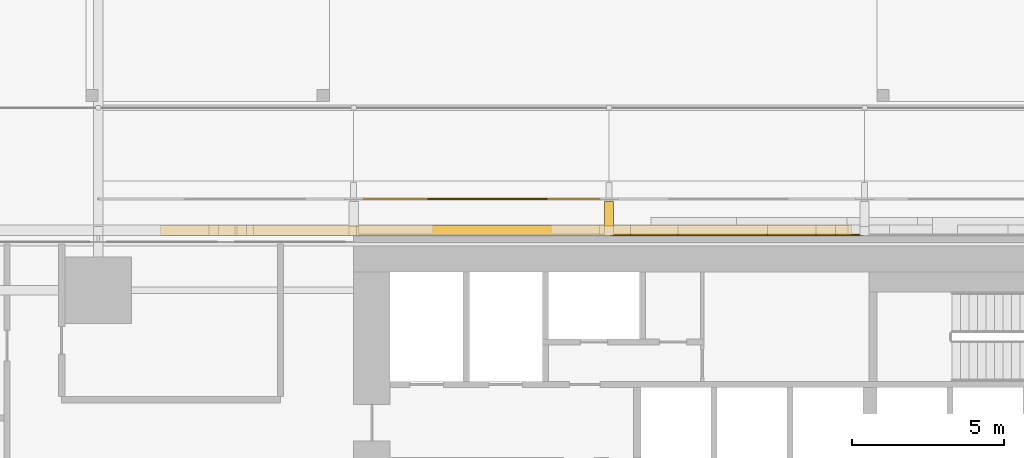
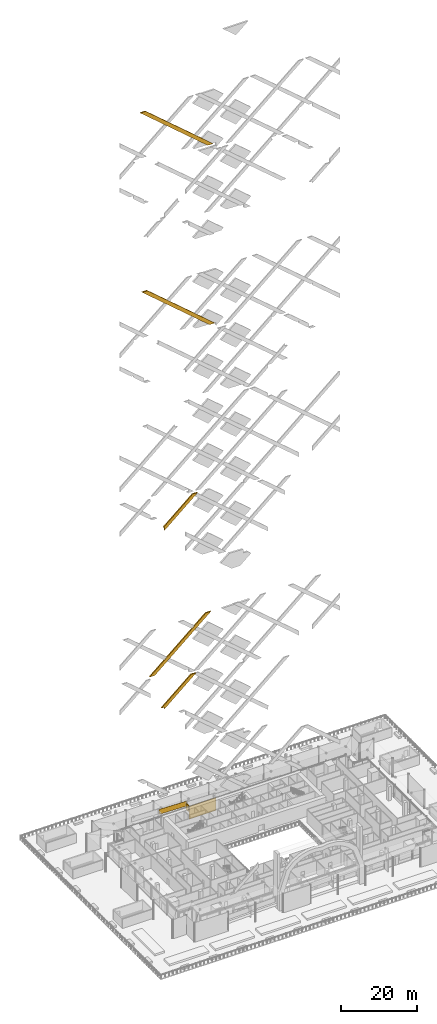
# One storey, part 40 of 60: 7 coverings, 1 railing.
"""IFC4 building model written with IfcOpenShell, lengths in metres."""

from ifc_helpers import new_model, si_unit, direction, frame, origin, origin_2d, place, context, subcontext, project, spatial, polyline, rectangle, outline, extrude, material, layer, layer_set, type_object, element, save


model = new_model("IFC4")

# Units and contexts
model_context = context("Model", 3, precision=1e-05, world=origin(), true_north=direction((0.0, 1.0)))
body_context = subcontext(model_context, "Body", "Model", "MODEL_VIEW")
ifc_project = project(units=[si_unit("LENGTHUNIT", "METRE"), si_unit("AREAUNIT", "SQUARE_METRE"), si_unit("VOLUMEUNIT", "CUBIC_METRE"), si_unit("PLANEANGLEUNIT", "RADIAN"), si_unit("MASSUNIT", "GRAM", prefix="KILO")], contexts=[model_context])

# Site, building, storey
site_placement = place(None, origin())
site = spatial("IfcSite", under=ifc_project, at=site_placement, CompositionType="ELEMENT")
building_placement = place(site_placement, origin())
building = spatial("IfcBuilding", under=site, at=building_placement, Name="Saffron Gate Tower", CompositionType="ELEMENT")
storey_placement = place(building_placement, frame((0.0, 0.0, 19.199951171875)))
storey = spatial("IfcBuildingStorey", under=building, at=storey_placement, Name="L03", CompositionType="ELEMENT", Elevation=19.199951171875)

# Coverings
ifc_material_1 = material(Name="Ceramic-printed bronze insulated panel")
ifc_layer_1 = layer(ifc_material_1, 0.0400390625)
ifc_layer_set_1 = layer_set([ifc_layer_1], Name="CLD1 ceramic-printed cladding panel 40")
covering_type_1 = type_object("IfcCoveringType", Name="CLD1 ceramic-printed cladding panel 40", PredefinedType="CLADDING", material=ifc_layer_set_1)
covering_1_placement = place(storey_placement, origin())
element("IfcCovering", 1, at=covering_1_placement, inside=storey, type_object=covering_type_1, Name="CLADDING ceramic-printed panel", PredefinedType="CLADDING", context=body_context, shape_type="SweptSolid", body=[
    extrude(outline(polyline([(83.360107421875, 75.639892578125), (75.0400390625, 75.639892578125), (75.0400390625, 75.60009765625), (83.360107421875, 75.60009765625), (83.360107421875, 75.639892578125)])), origin(), (0.0, 0.0, 1.0), 4.199951171875),
])
ifc_material_2 = material(Name="Timber, thermally modified ash", Category="wood")
ifc_layer_2 = layer(ifc_material_2, 0.300048828125)
ifc_layer_set_2 = layer_set([ifc_layer_2], Name="LD3 ledge riser fin")
covering_type_2 = type_object("IfcCoveringType", Name="LD3 ledge riser fin", PredefinedType="CLADDING", material=ifc_layer_set_2)
covering_2_placement = place(storey_placement, frame((75.0, 76.159912109375, 2.572265625), z_axis=(0.0, 0.0, 1.0), x_axis=(-1.0, 0.0, 0.0)))
element("IfcCovering", 2, at=covering_2_placement, inside=storey, type_object=covering_type_2, Name="LEDGE riser fin", PredefinedType="CLADDING", context=body_context, shape_type="SweptSolid", body=[
    extrude(rectangle(XDim=0.300048828125, YDim=1.1201171875, at=origin_2d()), origin(), (0.0, 0.0, 1.0), 1.93115234375),
])

# Railing
railing_type = type_object("IfcRailingType", Name="LG1 ledge balustrade", PredefinedType="BALUSTRADE", material=ifc_material_2)
railing_placement = place(storey_placement, frame((75.0, 76.800048828125, 3.603515625)))
element("IfcRailing", 3, at=railing_placement, inside=storey, type_object=railing_type, Name="LEDGE BALUSTRADE", PredefinedType="BALUSTRADE", context=body_context, shape_type="SweptSolid", body=[
    extrude(rectangle(XDim=0.06005859375, YDim=1.60009765625, at=origin_2d()), frame((0.0, 0.0, 0.800048828125), z_axis=(-0.999585448184, 0.0, 0.028791175352), x_axis=(0.0, -1.0, 0.0)), (0.0, 0.0, 1.0), 8.4033203125),
])

# Coverings
ifc_layer_3 = layer(ifc_material_1, 0.35009765625)
ifc_layer_set_3 = layer_set([ifc_layer_3], Name="LZ1 lozenge lattice bar 1600")
covering_type_3 = type_object("IfcCoveringType", Name="LZ1 lozenge lattice bar 1600", PredefinedType="CLADDING", material=ifc_layer_set_3)
covering_3_placement = place(storey_placement, frame((82.43408203125, 75.949951171875, 215.45654296875), z_axis=(0.0, 1.0, 0.0), x_axis=(-0.999586778905, 0.0, 0.028744937603)))
element("IfcCovering", 4, at=covering_3_placement, inside=storey, type_object=covering_type_3, Name="CLADDING lozenge lattice bar", PredefinedType="CLADDING", context=body_context, shape_type="SweptSolid", body=[
    extrude(outline(polyline([(0.0, 0.0), (1.6562019557102479, 0.0), (22.682077979176086, 16.99858394474692), (21.08264151703129, 17.04457865203467), (0.0, 0.0)])), origin(), (0.0, 0.0, -1.0), 0.35009765625),
])
covering_4_placement = place(storey_placement, frame((82.9775390625, 75.949951171875, 157.390869140625), z_axis=(0.0, 1.0, 0.0), x_axis=(-0.999586900679, 0.0, 0.028740702688)))
element("IfcCovering", 5, at=covering_4_placement, inside=storey, type_object=covering_type_3, Name="CLADDING lozenge lattice bar", PredefinedType="CLADDING", context=body_context, shape_type="SweptSolid", body=[
    extrude(outline(polyline([(0.0, 0.0), (1.6564459954660578, -6.938893903907228e-18), (22.701002057714913, 17.01376531153), (21.1015654007203, 17.05975324254061), (0.0, 0.0)])), origin(), (0.0, 0.0, -1.0), 0.35009765625),
])
covering_5_placement = place(storey_placement, frame((67.64990234375, 75.949951171875, 38.271484375), z_axis=(0.0, 1.0, 0.0), x_axis=(0.0, 0.0, 1.0)))
element("IfcCovering", 6, at=covering_5_placement, inside=storey, type_object=covering_type_3, Name="CLADDING lozenge lattice bar", PredefinedType="CLADDING", context=body_context, shape_type="SweptSolid", body=[
    extrude(outline(polyline([(0.0, 0.0), (0.548583984375, 0.0), (0.548583984375, -0.9599609375), (8.27880859375, 8.05859375), (8.234130859375, 9.606689453125), (0.0, 0.0)])), origin(), (0.0, 0.0, -1.0), 0.35009765625),
])
covering_6_placement = place(storey_placement, frame((64.615478515625, 75.949951171875, 50.070556640625), z_axis=(0.0, 1.0, 0.0), x_axis=(-0.999588219337, 0.0, 0.028694803773)))
element("IfcCovering", 7, at=covering_6_placement, inside=storey, type_object=covering_type_3, Name="CLADDING lozenge lattice bar", PredefinedType="CLADDING", context=body_context, shape_type="SweptSolid", body=[
    extrude(outline(polyline([(0.0, 0.0), (1.548489200410268, 0.0), (-15.155395383767699, 15.170620252207888), (-16.754834150743246, 15.216534740471223), (0.0, 0.0)])), origin(), (0.0, 0.0, -1.0), 0.35009765625),
])
covering_7_placement = place(storey_placement, frame((67.64990234375, 75.949951171875, 95.87158203125), z_axis=(0.0, 1.0, 0.0), x_axis=(0.0, 0.0, 1.0)))
element("IfcCovering", 8, at=covering_7_placement, inside=storey, type_object=covering_type_3, Name="CLADDING lozenge lattice bar", PredefinedType="CLADDING", context=body_context, shape_type="SweptSolid", body=[
    extrude(outline(polyline([(0.0, 0.0), (0.99853515625, 0.0), (0.99853515625, -0.434814453125), (8.714111328125, 8.566650390625), (8.66943359375, 10.114501953125), (0.0, 0.0)])), origin(), (0.0, 0.0, -1.0), 0.35009765625),
])

save(model, "model.ifc")
